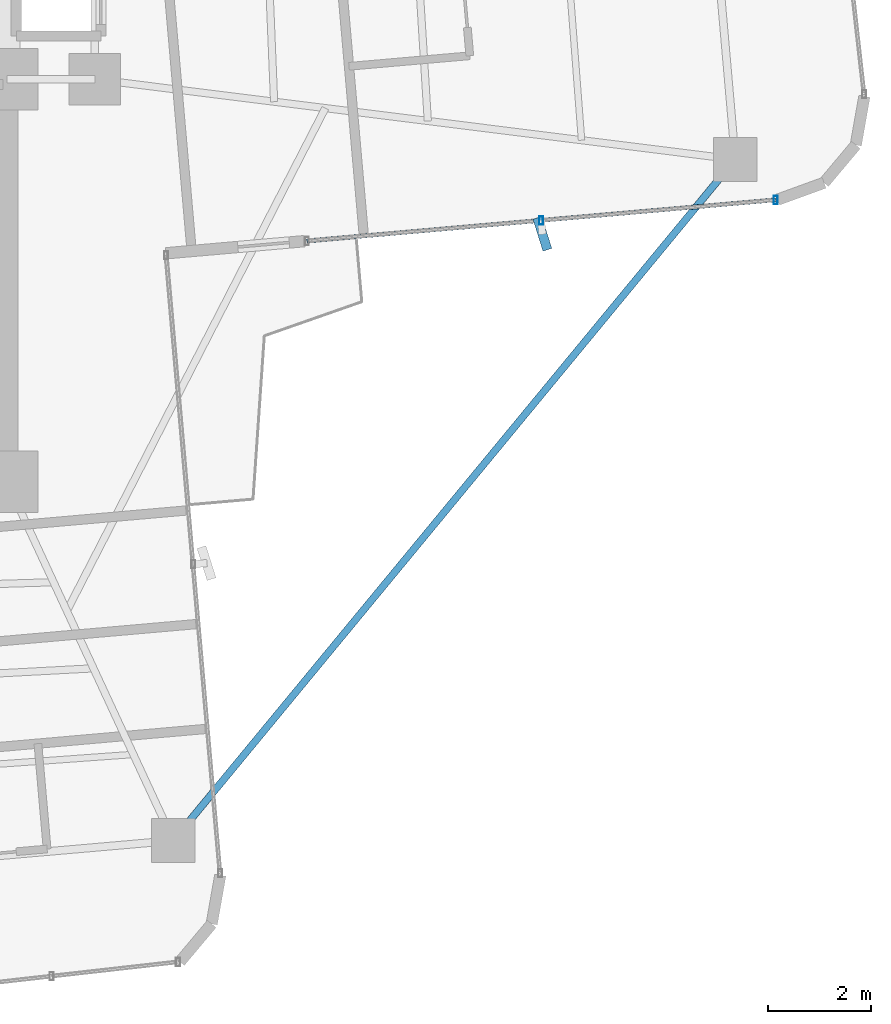
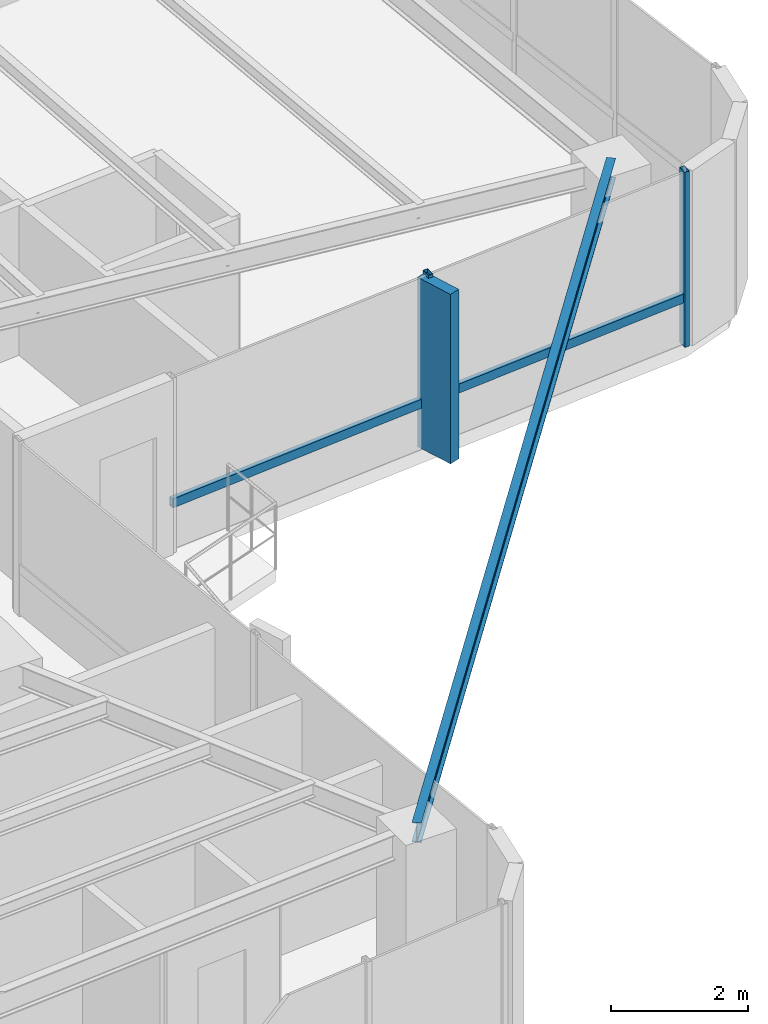
# One storey, part 13 of 24: 5 members, 1 beam, 1 element without a shape of its own.
"""IFC4 building model written with IfcOpenShell, lengths in metres."""

from ifc_helpers import new_model, si_unit, direction, frame, origin, origin_2d, place, context, subcontext, project, spatial, rectangle, hollow_rectangle, i_section, extrude, source, transform, mapped, material, material_profile, profile_set, type_object, element, aggregate, save


model = new_model("IFC4")

# Units and contexts
model_context = context("Model", 3, precision=1e-05, world=origin(), true_north=direction((0.0, 1.0)))
body_context = subcontext(model_context, "Body", "Model", "MODEL_VIEW")
ifc_project = project(units=[si_unit("LENGTHUNIT", "METRE"), si_unit("AREAUNIT", "SQUARE_METRE"), si_unit("VOLUMEUNIT", "CUBIC_METRE"), si_unit("PLANEANGLEUNIT", "RADIAN"), si_unit("MASSUNIT", "GRAM", prefix="KILO")], contexts=[model_context])

# Site, building, storey
site_placement = place(None, origin())
site = spatial("IfcSite", under=ifc_project, at=site_placement, CompositionType="ELEMENT")
building_placement = place(site_placement, origin())
building = spatial("IfcBuilding", under=site, at=building_placement, Name="Sahyath Konkavel Grand Hotel", CompositionType="ELEMENT")
storey_placement = place(building_placement, frame((0.0, 0.0, 147.25)))
storey = spatial("IfcBuildingStorey", under=building, at=storey_placement, Name="L40", CompositionType="ELEMENT", Elevation=147.25)

# Beam
ifc_material_1 = material(Name="Steel E350", Category="steel")
ifc_material_profile_1 = material_profile(ifc_material_1, i_section(OverallWidth=0.139892578125, OverallDepth=0.35009765625, WebThickness=0.008056640625, FlangeThickness=0.01416015625, FilletRadius=0.013916015625, at=origin_2d()), Name="ISMB 350")
ifc_profile_set_1 = profile_set([ifc_material_profile_1], Name="Steel E350")
beam_type = type_object("IfcBeamType", Name="BM-ISMB350", PredefinedType="BEAM", material=ifc_profile_set_1)
shared_shape_1 = source(origin(), body_context, "Body", "SweptSolid", [
    extrude(i_section(OverallWidth=0.139892578125, OverallDepth=0.35009765625, WebThickness=0.008056640625, FlangeThickness=0.01416015625, FilletRadius=0.013916015625, at=origin_2d()), origin(), (0.0, 0.0, 1.0), 17.112548828125),
])
beam_placement = place(storey_placement, frame((17.912841796875, -3.953857421875, 2.93505859375), z_axis=(-0.636437070092, -0.77132863023, 0.0), x_axis=(0.77132863023, -0.636437070092, 0.0)))
element("IfcBeam", 1, at=beam_placement, inside=storey, type_object=beam_type, Name="L40 Re-Entrant Tie Beam SE", PredefinedType="BEAM", context=body_context, shape_type="MappedRepresentation", body=[
    mapped(shared_shape_1, transform((0.0, 0.0, 0.0), scale=1.0)),
])

# Curtain wall, members
ifc_material_2 = material(Name="Anodised Bronze Aluminium & Low-E Glazing", Category="aluminium")
curtain_wall_type = type_object("IfcCurtainWallType", Name="CW-ZONE3", PredefinedType="NOTDEFINED", material=ifc_material_2)
curtain_wall_placement = place(storey_placement, origin())
curtain_wall = element("IfcCurtainWall", 2, at=curtain_wall_placement, inside=storey, type_object=curtain_wall_type, Name="L40 Unitised Curtain Wall F0", PredefinedType="NOTDEFINED")
ifc_material_3 = material(Name="Warm Buff Sandstone Cladding on Concrete C50/60", Category="masonry")
ifc_material_profile_2 = material_profile(ifc_material_3, rectangle(XDim=0.179931640625, YDim=0.64990234375, at=origin_2d()), Name="FIN 180x650")
ifc_profile_set_2 = profile_set([ifc_material_profile_2], Name="Warm Buff Sandstone Cladding on Concrete C50/60")
member_type_1 = type_object("IfcMemberType", Name="FIN-SANDSTONE-650", PredefinedType="MULLION", material=ifc_profile_set_2)
shared_shape_2 = source(origin(), body_context, "Body", "SweptSolid", [
    extrude(rectangle(XDim=0.179931640625, YDim=0.64990234375, at=origin_2d()), origin(), (0.0, 0.0, 1.0), 3.010009765625),
])
member_1_placement = place(storey_placement, frame((14.17431640625, -5.39501953125, 0.050048828125), z_axis=(0.0, 0.0, 1.0), x_axis=(0.953716950748, 0.300705799504, 0.0)))
member_1 = element("IfcMember", 3, at=member_1_placement, type_object=member_type_1, Name="L40 Sandstone Vertical Solar Fin FIN F0-1", PredefinedType="MULLION", context=body_context, shape_type="MappedRepresentation", body=[
    mapped(shared_shape_2, transform((0.0, 0.0, 0.0), scale=1.0)),
])
ifc_material_4 = material(Name="Anodised Bronze Aluminium", Category="aluminium")
ifc_material_profile_3 = material_profile(ifc_material_4, hollow_rectangle(XDim=0.080078125, YDim=0.159912109375, WallThickness=0.006103515625, at=origin_2d()), Name="RHS 160x80x6")
ifc_profile_set_3 = profile_set([ifc_material_profile_3], Name="Anodised Bronze Aluminium")
member_type_2 = type_object("IfcMemberType", Name="CW-MUL-160", PredefinedType="MULLION", material=ifc_profile_set_3)
shared_shape_3 = source(origin(), body_context, "Body", "SweptSolid", [
    extrude(hollow_rectangle(XDim=0.080078125, YDim=0.159912109375, WallThickness=0.006103515625, at=origin_2d()), origin(), (0.0, 0.0, 1.0), 3.110107421875),
])
member_2_placement = place(storey_placement, frame((14.151611328125, -5.135986328125, 0.0), z_axis=(0.0, 0.0, 1.0), x_axis=(1.0, 0.0, 0.0)))
member_2 = element("IfcMember", 4, at=member_2_placement, type_object=member_type_2, Name="L40 Curtain Wall Mullion F0-1", PredefinedType="MULLION", context=body_context, shape_type="MappedRepresentation", body=[
    mapped(shared_shape_3, transform((0.0, 0.0, 0.0), scale=1.0)),
])
member_3_placement = place(storey_placement, frame((18.694091796875, -4.73876953125, 0.0), z_axis=(0.0, 0.0, 1.0), x_axis=(1.0, 0.0, 0.0)))
member_3 = element("IfcMember", 5, at=member_3_placement, type_object=member_type_2, Name="L40 Curtain Wall Mullion F0-2", PredefinedType="MULLION", context=body_context, shape_type="MappedRepresentation", body=[
    mapped(shared_shape_3, transform((0.0, 0.0, 0.0), scale=1.0)),
])
ifc_material_profile_4 = material_profile(ifc_material_4, hollow_rectangle(XDim=0.080078125, YDim=0.159912109375, WallThickness=0.006103515625, at=origin_2d()), Name="RHS 160x80x6")
ifc_profile_set_4 = profile_set([ifc_material_profile_4], Name="Anodised Bronze Aluminium")
member_type_3 = type_object("IfcMemberType", Name="CW-TRN-160", PredefinedType="USERDEFINED", material=ifc_profile_set_4)
shared_shape_4 = source(origin(), body_context, "Body", "SweptSolid", [
    extrude(hollow_rectangle(XDim=0.080078125, YDim=0.159912109375, WallThickness=0.006103515625, at=origin_2d()), origin(), (0.0, 0.0, 1.0), 4.56005859375),
])
member_4_placement = place(storey_placement, frame((9.60888671875, -5.53369140625, 0.85009765625), z_axis=(0.996189590376, 0.087214104516, 0.0), x_axis=(-0.087214104516, 0.996189590376, 0.0)))
member_4 = element("IfcMember", 6, at=member_4_placement, type_object=member_type_3, Name="L40 Curtain Wall Transom F0-0-spandrel", ObjectType="TRANSOM", PredefinedType="USERDEFINED", context=body_context, shape_type="MappedRepresentation", body=[
    mapped(shared_shape_4, transform((0.0, 0.0, 0.0), scale=1.0)),
])
shared_shape_5 = source(origin(), body_context, "Body", "SweptSolid", [
    extrude(hollow_rectangle(XDim=0.080078125, YDim=0.159912109375, WallThickness=0.006103515625, at=origin_2d()), origin(), (0.0, 0.0, 1.0), 4.559814453125),
])
member_5_placement = place(storey_placement, frame((14.151611328125, -5.135986328125, 0.85009765625), z_axis=(0.99619848155, 0.087112486804, 0.0), x_axis=(-0.087112486804, 0.99619848155, 0.0)))
member_5 = element("IfcMember", 7, at=member_5_placement, type_object=member_type_3, Name="L40 Curtain Wall Transom F0-1-spandrel", ObjectType="TRANSOM", PredefinedType="USERDEFINED", context=body_context, shape_type="MappedRepresentation", body=[
    mapped(shared_shape_5, transform((0.0, 0.0, 0.0), scale=1.0)),
])
aggregate(curtain_wall, [member_2, member_1, member_3, member_4, member_5])

save(model, "model.ifc")
